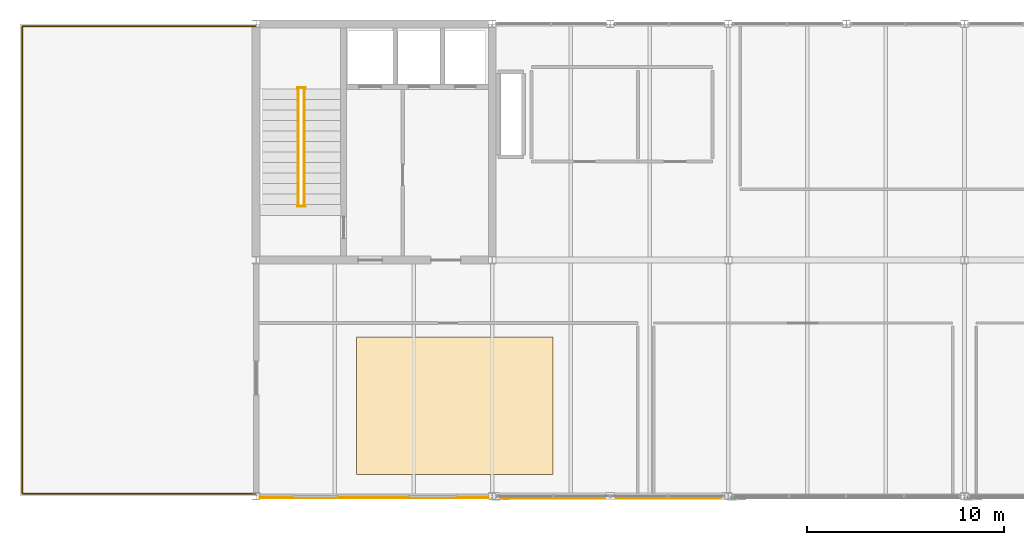
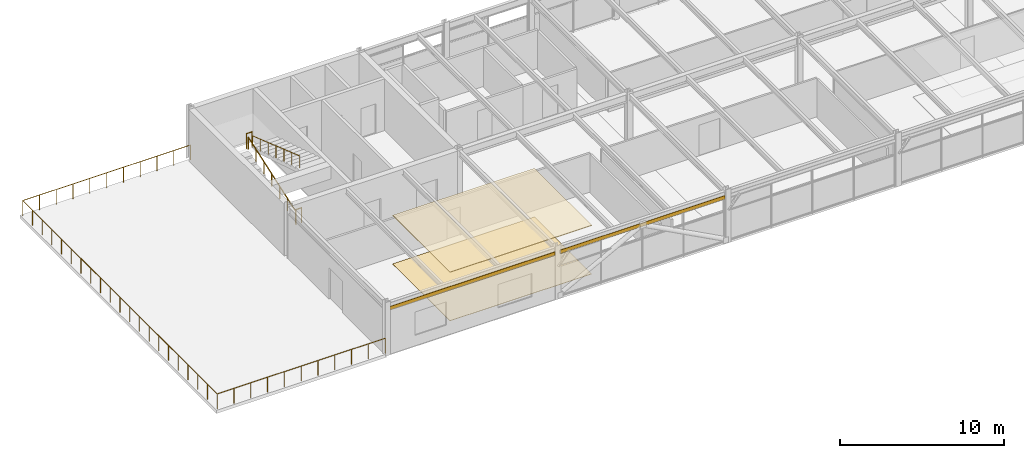
# One storey, part 30 of 32: 5 railings, 2 coverings, 2 shading devices.
"""IFC4 building model written with IfcOpenShell, lengths in metres."""

from ifc_helpers import new_model, si_unit, direction, frame, origin, origin_2d, place, context, subcontext, project, spatial, rectangle, circle, extrude, material, layer, layer_set, type_object, element, save


model = new_model("IFC4")

# Units and contexts
model_context = context("Model", 3, precision=1e-05, world=origin(), true_north=direction((0.0, 1.0)))
body_context = subcontext(model_context, "Body", "Model", "MODEL_VIEW")
ifc_project = project(units=[si_unit("LENGTHUNIT", "METRE"), si_unit("AREAUNIT", "SQUARE_METRE"), si_unit("VOLUMEUNIT", "CUBIC_METRE"), si_unit("PLANEANGLEUNIT", "RADIAN"), si_unit("MASSUNIT", "GRAM", prefix="KILO")], contexts=[model_context])

# Site, building, storey
site_placement = place(None, origin())
site = spatial("IfcSite", under=ifc_project, at=site_placement, CompositionType="ELEMENT")
building_placement = place(site_placement, origin())
building = spatial("IfcBuilding", under=site, at=building_placement, Name="Girod Span Mobility Hub", CompositionType="ELEMENT")
storey_placement = place(building_placement, frame((0.0, 0.0, 61.60009765625)))
storey = spatial("IfcBuildingStorey", under=building, at=storey_placement, Name="L15", CompositionType="ELEMENT", Elevation=61.60009765625)

# Coverings
ifc_material_1 = material(Name="Perforated Mineral-Fibre Acoustic Ceiling Tile", Category="mineral")
ifc_layer_1 = layer(ifc_material_1, 0.050048828125)
ifc_layer_set_1 = layer_set([ifc_layer_1], Name="Perforated Mineral-Fibre Acoustic Ceiling Tile")
covering_type_1 = type_object("IfcCoveringType", Name="COV-CLG-1000X700", PredefinedType="CEILING", material=ifc_layer_set_1)
covering_1_placement = place(storey_placement, frame((58.10009765625, 49.60009765625, 3.60498046875), z_axis=(0.0, 0.0, 1.0), x_axis=(1.0, 0.0, 0.0)))
element("IfcCovering", 1, at=covering_1_placement, inside=storey, type_object=covering_type_1, Name="Office Suite West L15 Acoustic Ceiling", PredefinedType="CEILING", context=body_context, shape_type="SweptSolid", body=[
    extrude(rectangle(XDim=10.0, YDim=7.0, at=origin_2d()), origin(), (0.0, 0.0, 1.0), 0.050048828125),
])
ifc_material_2 = material(Name="Epoxy Terrazzo and Raised Access Flooring", Category="polymer")
ifc_layer_2 = layer(ifc_material_2, 0.02490234375)
ifc_layer_set_2 = layer_set([ifc_layer_2], Name="Epoxy Terrazzo and Raised Access Flooring")
covering_type_2 = type_object("IfcCoveringType", Name="COV-FLR-1000X700", PredefinedType="FLOORING", material=ifc_layer_set_2)
covering_2_placement = place(storey_placement, frame((58.10009765625, 49.60009765625, 0.0), z_axis=(0.0, 0.0, 1.0), x_axis=(1.0, 0.0, 0.0)))
element("IfcCovering", 2, at=covering_2_placement, inside=storey, type_object=covering_type_2, Name="Office Suite West L15 Floor Finish", PredefinedType="FLOORING", context=body_context, shape_type="SweptSolid", body=[
    extrude(rectangle(XDim=10.0, YDim=7.0, at=origin_2d()), origin(), (0.0, 0.0, 1.0), 0.02490234375),
])

# Railings
ifc_material_3 = material(Name="Anodised Aluminium Alloy 6063-T6", Category="aluminium")
ifc_layer_3 = layer(ifc_material_3, 0.070068359375)
ifc_layer_set_3 = layer_set([ifc_layer_3], Name="Anodised Aluminium Alloy 6063-T6")
railing_type_1 = type_object("IfcRailingType", Name="RL-BAL-1140", PredefinedType="BALUSTRADE", material=ifc_layer_set_3)
railing_1_placement = place(storey_placement, frame((47.9599609375, 45.1201171875, 0.0)))
element("IfcRailing", 3, at=railing_1_placement, inside=storey, type_object=railing_type_1, Name="West Riverview Sky Terrace Perimeter Balustrade", PredefinedType="BALUSTRADE", context=body_context, shape_type="SweptSolid", body=[
    extrude(circle(Radius=0.02392578125, at=origin_2d()), frame((0.0, 0.0, 1.11572265625), z_axis=(-1.0, 0.0, 0.0), x_axis=(0.0, -1.0, 0.0)), (0.0, 0.0, 1.0), 11.83984375),
    extrude(circle(Radius=0.02392578125, at=origin_2d()), frame((-11.83984375, 0.0, 1.11572265625), z_axis=(0.0, 1.0, 0.0), x_axis=(-1.0, 0.0, 0.0)), (0.0, 0.0, 1.0), 23.759765625),
    extrude(circle(Radius=0.02392578125, at=origin_2d()), frame((-11.83984375, 23.759765625, 1.11572265625), z_axis=(1.0, 0.0, 0.0), x_axis=(0.0, 1.0, 0.0)), (0.0, 0.0, 1.0), 11.83984375),
    extrude(circle(Radius=0.02099609375, at=origin_2d()), origin(), (0.0, 0.0, 1.0), 1.091796875),
    extrude(circle(Radius=0.02099609375, at=origin_2d()), frame((-1.18408203125, 0.0, 0.0)), (0.0, 0.0, 1.0), 1.091796875),
    extrude(circle(Radius=0.02099609375, at=origin_2d()), frame((-2.367919921875, 0.0, 0.0)), (0.0, 0.0, 1.0), 1.091796875),
    extrude(circle(Radius=0.02099609375, at=origin_2d()), frame((-3.552001953125, 0.0, 0.0)), (0.0, 0.0, 1.0), 1.091796875),
    extrude(circle(Radius=0.02099609375, at=origin_2d()), frame((-4.73583984375, 0.0, 0.0)), (0.0, 0.0, 1.0), 1.091796875),
    extrude(circle(Radius=0.02099609375, at=origin_2d()), frame((-5.919921875, 0.0, 0.0)), (0.0, 0.0, 1.0), 1.091796875),
    extrude(circle(Radius=0.02099609375, at=origin_2d()), frame((-7.10400390625, 0.0, 0.0)), (0.0, 0.0, 1.0), 1.091796875),
    extrude(circle(Radius=0.02099609375, at=origin_2d()), frame((-8.287841796875, 0.0, 0.0)), (0.0, 0.0, 1.0), 1.091796875),
    extrude(circle(Radius=0.02099609375, at=origin_2d()), frame((-9.471923828125, 0.0, 0.0)), (0.0, 0.0, 1.0), 1.091796875),
    extrude(circle(Radius=0.02099609375, at=origin_2d()), frame((-10.65576171875, 0.0, 0.0)), (0.0, 0.0, 1.0), 1.091796875),
    extrude(circle(Radius=0.02099609375, at=origin_2d()), frame((-11.83984375, 0.0, 0.0)), (0.0, 0.0, 1.0), 1.091796875),
    extrude(circle(Radius=0.02099609375, at=origin_2d()), frame((-11.83984375, 1.18798828125, 0.0)), (0.0, 0.0, 1.0), 1.091796875),
    extrude(circle(Radius=0.02099609375, at=origin_2d()), frame((-11.83984375, 2.3759765625, 0.0)), (0.0, 0.0, 1.0), 1.091796875),
    extrude(circle(Radius=0.02099609375, at=origin_2d()), frame((-11.83984375, 3.56396484375, 0.0)), (0.0, 0.0, 1.0), 1.091796875),
    extrude(circle(Radius=0.02099609375, at=origin_2d()), frame((-11.83984375, 4.751953125, 0.0)), (0.0, 0.0, 1.0), 1.091796875),
    extrude(circle(Radius=0.02099609375, at=origin_2d()), frame((-11.83984375, 5.93994140625, 0.0)), (0.0, 0.0, 1.0), 1.091796875),
    extrude(circle(Radius=0.02099609375, at=origin_2d()), frame((-11.83984375, 7.1279296875, 0.0)), (0.0, 0.0, 1.0), 1.091796875),
    extrude(circle(Radius=0.02099609375, at=origin_2d()), frame((-11.83984375, 8.31591796875, 0.0)), (0.0, 0.0, 1.0), 1.091796875),
    extrude(circle(Radius=0.02099609375, at=origin_2d()), frame((-11.83984375, 9.50390625, 0.0)), (0.0, 0.0, 1.0), 1.091796875),
    extrude(circle(Radius=0.02099609375, at=origin_2d()), frame((-11.83984375, 10.69189453125, 0.0)), (0.0, 0.0, 1.0), 1.091796875),
    extrude(circle(Radius=0.02099609375, at=origin_2d()), frame((-11.83984375, 11.8798828125, 0.0)), (0.0, 0.0, 1.0), 1.091796875),
    extrude(circle(Radius=0.02099609375, at=origin_2d()), frame((-11.83984375, 13.06787109375, 0.0)), (0.0, 0.0, 1.0), 1.091796875),
    extrude(circle(Radius=0.02099609375, at=origin_2d()), frame((-11.83984375, 14.255859375, 0.0)), (0.0, 0.0, 1.0), 1.091796875),
    extrude(circle(Radius=0.02099609375, at=origin_2d()), frame((-11.83984375, 15.44384765625, 0.0)), (0.0, 0.0, 1.0), 1.091796875),
    extrude(circle(Radius=0.02099609375, at=origin_2d()), frame((-11.83984375, 16.6318359375, 0.0)), (0.0, 0.0, 1.0), 1.091796875),
    extrude(circle(Radius=0.02099609375, at=origin_2d()), frame((-11.83984375, 17.81982421875, 0.0)), (0.0, 0.0, 1.0), 1.091796875),
    extrude(circle(Radius=0.02099609375, at=origin_2d()), frame((-11.83984375, 19.0078125, 0.0)), (0.0, 0.0, 1.0), 1.091796875),
    extrude(circle(Radius=0.02099609375, at=origin_2d()), frame((-11.83984375, 20.19580078125, 0.0)), (0.0, 0.0, 1.0), 1.091796875),
    extrude(circle(Radius=0.02099609375, at=origin_2d()), frame((-11.83984375, 21.3837890625, 0.0)), (0.0, 0.0, 1.0), 1.091796875),
    extrude(circle(Radius=0.02099609375, at=origin_2d()), frame((-11.83984375, 22.57177734375, 0.0)), (0.0, 0.0, 1.0), 1.091796875),
    extrude(circle(Radius=0.02099609375, at=origin_2d()), frame((-11.83984375, 23.759765625, 0.0)), (0.0, 0.0, 1.0), 1.091796875),
    extrude(circle(Radius=0.02099609375, at=origin_2d()), frame((-10.65576171875, 23.759765625, 0.0)), (0.0, 0.0, 1.0), 1.091796875),
    extrude(circle(Radius=0.02099609375, at=origin_2d()), frame((-9.471923828125, 23.759765625, 0.0)), (0.0, 0.0, 1.0), 1.091796875),
    extrude(circle(Radius=0.02099609375, at=origin_2d()), frame((-8.287841796875, 23.759765625, 0.0)), (0.0, 0.0, 1.0), 1.091796875),
    extrude(circle(Radius=0.02099609375, at=origin_2d()), frame((-7.10400390625, 23.759765625, 0.0)), (0.0, 0.0, 1.0), 1.091796875),
    extrude(circle(Radius=0.02099609375, at=origin_2d()), frame((-5.919921875, 23.759765625, 0.0)), (0.0, 0.0, 1.0), 1.091796875),
    extrude(circle(Radius=0.02099609375, at=origin_2d()), frame((-4.73583984375, 23.759765625, 0.0)), (0.0, 0.0, 1.0), 1.091796875),
    extrude(circle(Radius=0.02099609375, at=origin_2d()), frame((-3.552001953125, 23.759765625, 0.0)), (0.0, 0.0, 1.0), 1.091796875),
    extrude(circle(Radius=0.02099609375, at=origin_2d()), frame((-2.367919921875, 23.759765625, 0.0)), (0.0, 0.0, 1.0), 1.091796875),
    extrude(circle(Radius=0.02099609375, at=origin_2d()), frame((-1.18408203125, 23.759765625, 0.0)), (0.0, 0.0, 1.0), 1.091796875),
    extrude(circle(Radius=0.02099609375, at=origin_2d()), frame((0.0, 23.759765625, 0.0)), (0.0, 0.0, 1.0), 1.091796875),
])
ifc_material_4 = material(Name="Painted Galvanised Steel", Category="steel")
ifc_layer_4 = layer(ifc_material_4, 0.06494140625)
ifc_layer_set_4 = layer_set([ifc_layer_4], Name="Painted Galvanised Steel")
railing_type_2 = type_object("IfcRailingType", Name="RL-GRD-1120", PredefinedType="GUARDRAIL", material=ifc_layer_set_4)
for number, where, name in (
    (4, (50.10009765625, 65.77001953125, 2.0), "Stair ST-1 Half-Landing Well Guard L15"),
    (5, (50.10009765625, 59.72998046875, 0.0), "Stair ST-1 Landing Well Guard L15"),
):
    element("IfcRailing", number, at=place(storey_placement, frame(where)), inside=storey, type_object=railing_type_2, Name=name, PredefinedType="GUARDRAIL", context=body_context, shape_type="SweptSolid", body=[
        extrude(circle(Radius=0.02392578125, at=origin_2d()), frame((0.0, 0.0, 1.09619140625), z_axis=(1.0, 0.0, 0.0), x_axis=(0.0, 1.0, 0.0)), (0.0, 0.0, 1.0), 0.39990234375),
        extrude(circle(Radius=0.02099609375, at=origin_2d()), origin(), (0.0, 0.0, 1.0), 1.072021484375),
        extrude(circle(Radius=0.02099609375, at=origin_2d()), frame((0.39990234375, 0.0, 0.0)), (0.0, 0.0, 1.0), 1.072021484375),
    ])
ifc_material_5 = material(Name="Painted Galvanised Steel", Category="steel")
ifc_layer_5 = layer(ifc_material_5, 0.050048828125)
ifc_layer_set_5 = layer_set([ifc_layer_5], Name="Painted Galvanised Steel")
railing_type_3 = type_object("IfcRailingType", Name="RL-HR-920", PredefinedType="HANDRAIL", material=ifc_layer_set_5)
railing_2_placement = place(storey_placement, frame((50.14990234375, 59.860107421875, 0.0)))
element("IfcRailing", 6, at=railing_2_placement, inside=storey, type_object=railing_type_3, Name="Stair ST-1 Flight 1 Handrail L15", PredefinedType="HANDRAIL", context=body_context, shape_type="SweptSolid", body=[
    extrude(circle(Radius=0.02392578125, at=origin_2d()), frame((0.0, 0.0, 0.89599609375), z_axis=(0.0, 0.945021187488, 0.327009105681), x_axis=(-1.0, 0.0, 0.0)), (0.0, 0.0, 1.0), 6.115966796875),
    extrude(circle(Radius=0.02099609375, at=origin_2d()), origin(), (0.0, 0.0, 1.0), 0.871826171875),
    extrude(circle(Radius=0.02099609375, at=origin_2d()), frame((0.0, 0.96337890625, 0.333251953125)), (0.0, 0.0, 1.0), 0.871826171875),
    extrude(circle(Radius=0.02099609375, at=origin_2d()), frame((0.0, 1.926513671875, 0.666748046875)), (0.0, 0.0, 1.0), 0.871826171875),
    extrude(circle(Radius=0.02099609375, at=origin_2d()), frame((0.0, 2.889892578125, 1.0)), (0.0, 0.0, 1.0), 0.871826171875),
    extrude(circle(Radius=0.02099609375, at=origin_2d()), frame((0.0, 3.853271484375, 1.333251953125)), (0.0, 0.0, 1.0), 0.871826171875),
    extrude(circle(Radius=0.02099609375, at=origin_2d()), frame((0.0, 4.81640625, 1.666748046875)), (0.0, 0.0, 1.0), 0.871826171875),
    extrude(circle(Radius=0.02099609375, at=origin_2d()), frame((0.0, 5.77978515625, 2.0)), (0.0, 0.0, 1.0), 0.871826171875),
])
railing_3_placement = place(storey_placement, frame((50.449951171875, 65.639892578125, 2.0)))
element("IfcRailing", 7, at=railing_3_placement, inside=storey, type_object=railing_type_3, Name="Stair ST-1 Flight 2 Handrail L15", PredefinedType="HANDRAIL", context=body_context, shape_type="SweptSolid", body=[
    extrude(circle(Radius=0.02392578125, at=origin_2d()), frame((0.0, 0.0, 0.89599609375), z_axis=(0.0, -0.945021187488, 0.327009105681), x_axis=(1.0, 0.0, 0.0)), (0.0, 0.0, 1.0), 6.115966796875),
    extrude(circle(Radius=0.02099609375, at=origin_2d()), origin(), (0.0, 0.0, 1.0), 0.871826171875),
    extrude(circle(Radius=0.02099609375, at=origin_2d()), frame((0.0, -0.96337890625, 0.333251953125)), (0.0, 0.0, 1.0), 0.871826171875),
    extrude(circle(Radius=0.02099609375, at=origin_2d()), frame((0.0, -1.926513671875, 0.666748046875)), (0.0, 0.0, 1.0), 0.871826171875),
    extrude(circle(Radius=0.02099609375, at=origin_2d()), frame((0.0, -2.889892578125, 1.0)), (0.0, 0.0, 1.0), 0.871826171875),
    extrude(circle(Radius=0.02099609375, at=origin_2d()), frame((0.0, -3.853271484375, 1.333251953125)), (0.0, 0.0, 1.0), 0.871826171875),
    extrude(circle(Radius=0.02099609375, at=origin_2d()), frame((0.0, -4.81640625, 1.666748046875)), (0.0, 0.0, 1.0), 0.871826171875),
    extrude(circle(Radius=0.02099609375, at=origin_2d()), frame((0.0, -5.77978515625, 2.0)), (0.0, 0.0, 1.0), 0.871826171875),
])

# Shading devices
ifc_material_6 = material(Name="Aluminium 6063-T6", Category="aluminium")
ifc_layer_6 = layer(ifc_material_6, 0.030029296875)
ifc_layer_set_6 = layer_set([ifc_layer_6], Name="Aluminium 6063-T6")
shading_device_type = type_object("IfcShadingDeviceType", Name="SHD-SHT-11635X260X30", PredefinedType="SHUTTER", material=ifc_layer_set_6)
for number, where, z_axis, x_axis, name in (
    (8, (54.0, 44.919921875, 3.27587890625), (0.0, 0.0, 1.0), (1.0, 0.0, 0.0), "External Solar Shading Blade 5 L15"),
    (9, (66.0, 44.919921875, 3.27587890625), (0.0, 0.0, 1.0), (1.0, 0.0, 0.0), "External Solar Shading Blade 6 L15"),
):
    element("IfcShadingDevice", number, at=place(storey_placement, frame(where, z_axis=z_axis, x_axis=x_axis)), inside=storey, type_object=shading_device_type, Name=name, PredefinedType="SHUTTER", context=body_context, shape_type="SweptSolid", body=[
        extrude(rectangle(XDim=11.635009765625, YDim=0.030029296875, at=origin_2d()), origin(), (0.0, 0.0, 1.0), 0.260009765625),
    ])

save(model, "model.ifc")
